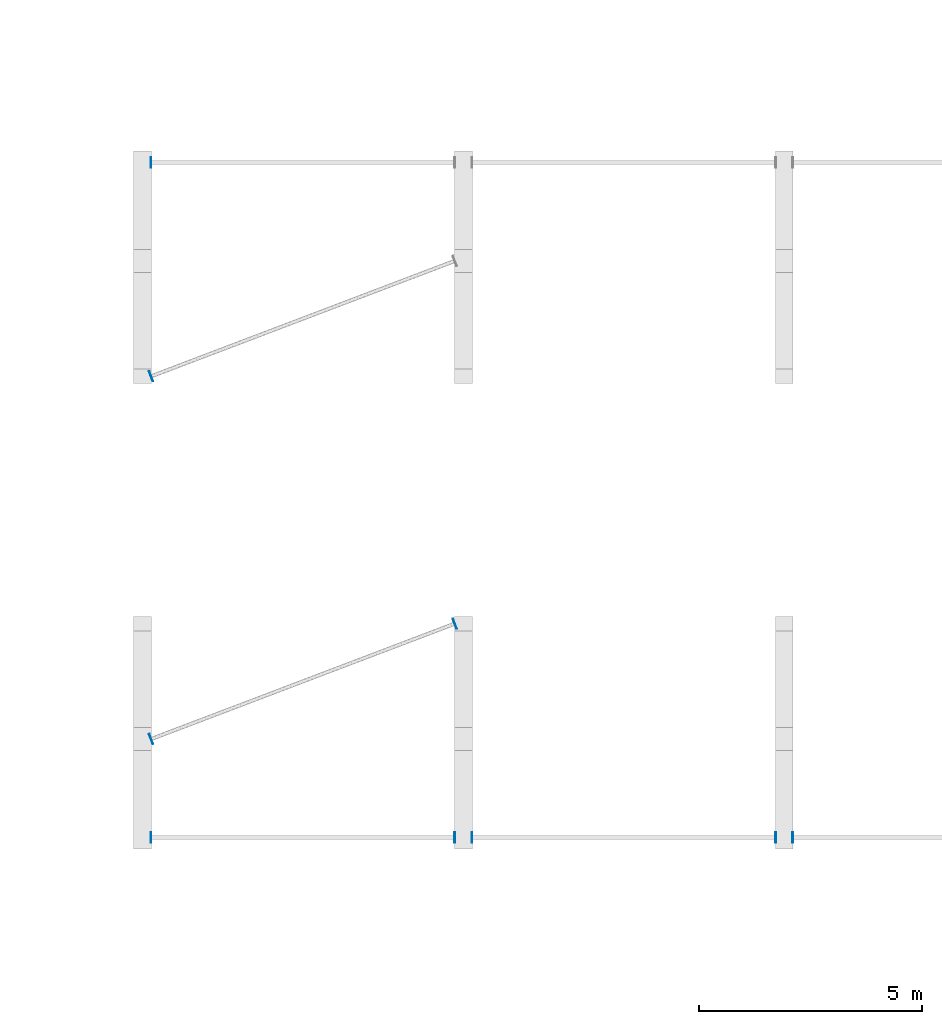
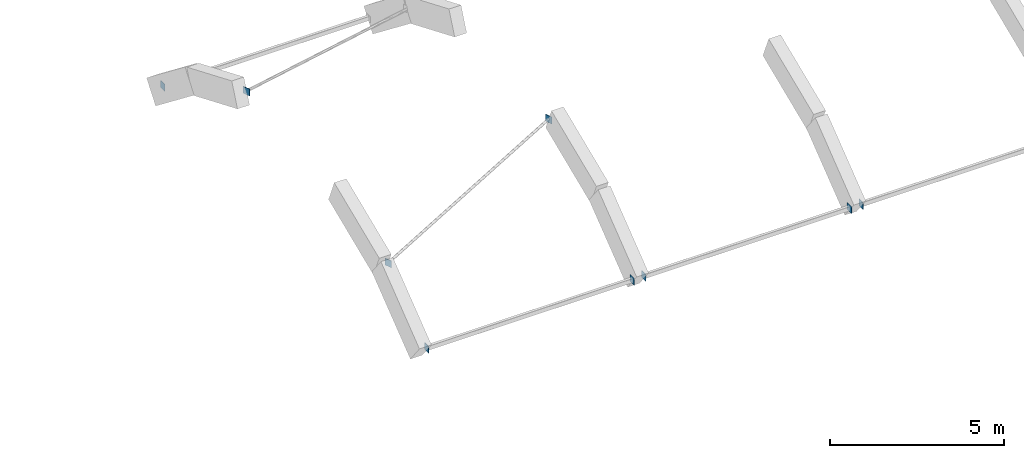
# One storey, part 25 of 64: 9 plates.
"""IFC4 building model written with IfcOpenShell, lengths in metres."""

from ifc_helpers import new_model, si_unit, direction, frame, origin, origin_2d, place, context, subcontext, project, spatial, rectangle, extrude, material, layer, layer_set, type_object, element, save


model = new_model("IFC4")

# Units and contexts
model_context = context("Model", 3, precision=1e-05, world=origin(), true_north=direction((0.0, 1.0)))
body_context = subcontext(model_context, "Body", "Model", "MODEL_VIEW")
ifc_project = project(units=[si_unit("LENGTHUNIT", "METRE"), si_unit("AREAUNIT", "SQUARE_METRE"), si_unit("VOLUMEUNIT", "CUBIC_METRE"), si_unit("PLANEANGLEUNIT", "RADIAN"), si_unit("MASSUNIT", "GRAM", prefix="KILO")], contexts=[model_context])

# Site, building, storey
site_placement = place(None, origin())
site = spatial("IfcSite", under=ifc_project, at=site_placement, CompositionType="ELEMENT")
building_placement = place(site_placement, origin())
building = spatial("IfcBuilding", under=site, at=building_placement, Name="Ochrevale Crest", CompositionType="ELEMENT")
storey_placement = place(building_placement, frame((0.0, 0.0, 8.699951171875)))
storey = spatial("IfcBuildingStorey", under=building, at=storey_placement, Name="L02", CompositionType="ELEMENT", Elevation=8.699951171875)

# Plates
ifc_material = material(Name="Steel S355", Category="steel")
ifc_layer = layer(ifc_material, 0.01611328125)
ifc_layer_set = layer_set([ifc_layer], Name="Steel S355")
plate_type = type_object("IfcPlateType", Name="PLT-CAP-16", PredefinedType="USERDEFINED", material=ifc_layer_set)
for number, where, z_axis, x_axis, name in (
    (1, (57.7919921875, 46.42626953125, 0.77294921875), (0.0, 0.0, 1.0), (1.0, 0.0, 0.0), "Vault longitudinal steel purlin B1-2 welded end cap plate CS"),
    (2, (64.60791015625, 46.42626953125, 0.77294921875), (0.0, 0.0, 1.0), (1.0, 0.0, 0.0), "Vault longitudinal steel purlin B1-2 welded end cap plate CE"),
    (3, (57.7919921875, 61.57373046875, 0.77294921875), (0.0, 0.0, 1.0), (1.0, 0.0, 0.0), "Vault longitudinal steel purlin B1-8 welded end cap plate CS"),
    (4, (57.79248046875, 48.63525390625, 2.412109375), (0.0, 0.0, 1.0), (0.934763684301, 0.355270114859, 0.0), "Community Hall vault CHS lateral brace B1-3 welded end cap plate CS"),
    (5, (64.607421875, 51.22509765625, 3.4970703125), (0.0, 0.0, 1.0), (0.934763684301, 0.355270114859, 0.0), "Community Hall vault CHS lateral brace B1-3 welded end cap plate CE"),
    (6, (57.79248046875, 56.77490234375, 3.4970703125), (0.0, 0.0, 1.0), (0.934763684301, 0.355270114859, 0.0), "Community Hall vault CHS lateral brace B1-6 welded end cap plate CS"),
    (7, (64.991943359375, 46.42626953125, 0.77294921875), (0.0, 0.0, 1.0), (1.0, 0.0, 0.0), "Vault longitudinal steel purlin B2-2 welded end cap plate CS"),
    (8, (71.80810546875, 46.42626953125, 0.77294921875), (0.0, 0.0, 1.0), (1.0, 0.0, 0.0), "Vault longitudinal steel purlin B2-2 welded end cap plate CE"),
    (9, (72.19189453125, 46.42626953125, 0.77294921875), (0.0, 0.0, 1.0), (1.0, 0.0, 0.0), "Vault longitudinal steel purlin B3-2 welded end cap plate CS"),
):
    element("IfcPlate", number, at=place(storey_placement, frame(where, z_axis=z_axis, x_axis=x_axis)), inside=storey, type_object=plate_type, Name=name, ObjectType="CAP PLATE", PredefinedType="USERDEFINED", context=body_context, shape_type="SweptSolid", body=[
        extrude(rectangle(XDim=0.01611328125, YDim=0.239990234375, at=origin_2d()), origin(), (0.0, 0.0, 1.0), 0.239990234375),
    ])

save(model, "model.ifc")
